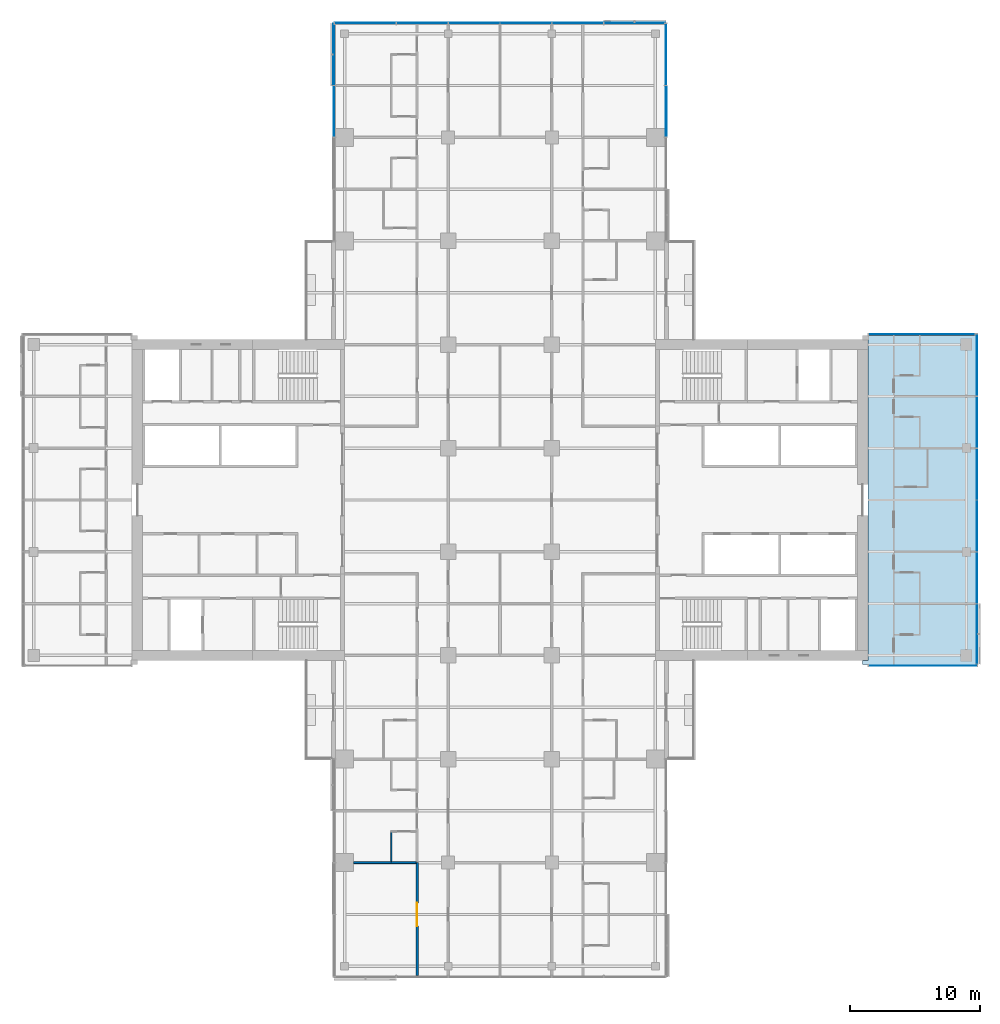
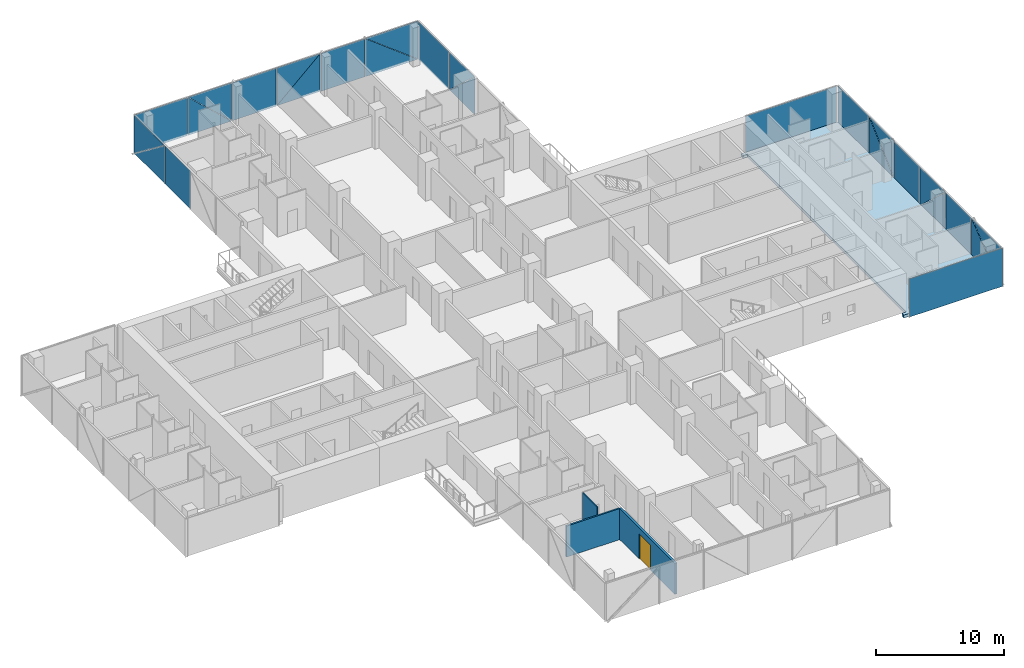
# One storey, part 14 of 27: 26 plates, 3 walls, 1 door, 1 slab, 1 opening, 6 elements without a shape of their own.
"""IFC4 building model written with IfcOpenShell, lengths in metres."""

from ifc_helpers import new_model, si_unit, direction, frame, frame_2d, origin, place, context, subcontext, project, spatial, polyline, rectangle, outline, extrude, material, layer, layer_set, type_object, element, fill, aggregate, save


model = new_model("IFC4")

# Units and contexts
model_context = context("Model", 3, precision=1e-05, world=origin(), true_north=direction((0.0, 1.0)))
body_context = subcontext(model_context, "Body", "Model", "MODEL_VIEW")
ifc_project = project(units=[si_unit("LENGTHUNIT", "METRE"), si_unit("AREAUNIT", "SQUARE_METRE"), si_unit("VOLUMEUNIT", "CUBIC_METRE"), si_unit("PLANEANGLEUNIT", "RADIAN"), si_unit("MASSUNIT", "GRAM", prefix="KILO")], contexts=[model_context])

# Site, building, storey
site_placement = place(None, origin())
site = spatial("IfcSite", under=ifc_project, at=site_placement, CompositionType="ELEMENT")
building_placement = place(site_placement, origin())
building = spatial("IfcBuilding", under=site, at=building_placement, Name="Crosswind Convention Tower", CompositionType="ELEMENT")
storey_placement = place(building_placement, frame((0.0, 0.0, 68.300048828125)))
storey = spatial("IfcBuildingStorey", under=building, at=storey_placement, Name="L11", CompositionType="ELEMENT", Elevation=68.300048828125)

# Slab
ifc_material_1 = material(Name="Concrete C40/50", Category="concrete")
ifc_layer_1 = layer(ifc_material_1, 0.280029296875)
ifc_layer_set_1 = layer_set([ifc_layer_1], Name="Concrete C40/50")
slab_type = type_object("IfcSlabType", Name="Composite floor slab 280", PredefinedType="FLOOR", material=ifc_layer_set_1)
slab_placement = place(storey_placement, frame((0.0, 0.0, -0.280029296875)))
element("IfcSlab", 1, at=slab_placement, inside=storey, type_object=slab_type, Name="Floor slab L11 part 3", PredefinedType="FLOOR", context=body_context, shape_type="SweptSolid", body=[
    extrude(outline(polyline([(153.0, 112.699951171875), (161.0, 112.699951171875), (161.699951171875, 112.699951171875), (161.699951171875, 112.0), (161.699951171875, 88.0), (161.699951171875, 87.300048828125), (161.0, 87.300048828125), (153.0, 87.300048828125), (153.0, 87.60009765625), (153.39990234375, 87.60009765625), (153.39990234375, 112.39990234375), (153.0, 112.39990234375), (153.0, 112.699951171875)])), origin(), (0.0, 0.0, 1.0), 0.280029296875),
])

# Curtain wall, plate
ifc_material_2 = material(Name="Aluminium unitised curtain wall", Category="aluminium")
curtain_wall_type_1 = type_object("IfcCurtainWallType", Name="CORE END SLOT WALL 160", PredefinedType="USERDEFINED", material=ifc_material_2)
curtain_wall_1_placement = place(storey_placement, origin())
curtain_wall_1 = element("IfcCurtainWall", 2, at=curtain_wall_1_placement, inside=storey, type_object=curtain_wall_type_1, Name="CW6 L11 E-N.1-1 slot", ObjectType="UNITISED", PredefinedType="USERDEFINED")
ifc_material_3 = material(Name="Laminated insulating glass unit", Category="glass")
ifc_layer_2 = layer(ifc_material_3, 0.02587890625)
ifc_layer_set_2 = layer_set([ifc_layer_2], Name="TRIANGULAR GLASS PANEL 26")
plate_type_1 = type_object("IfcPlateType", Name="TRIANGULAR GLASS PANEL 26", PredefinedType="CURTAIN_PANEL", material=ifc_layer_set_2)
plate_1_placement = place(storey_placement, frame((161.64990234375, 112.806640625, -0.280029296875), z_axis=(0.0, 0.999999919464, 0.00040133776), x_axis=(-1.0, 0.0, 0.0)))
plate_1 = element("IfcPlate", 3, at=plate_1_placement, type_object=plate_type_1, Name="CW6 panel 1.1", PredefinedType="CURTAIN_PANEL", context=body_context, shape_type="SweptSolid", body=[
    extrude(outline(polyline([(0.0, 0.0), (8.199951171875, 0.0), (8.199951171875, 3.6499026376985664), (0.0, 3.6499026376985664), (0.0, 0.0)])), origin(), (0.0, 0.0, -1.0), 0.02587890625),
])
aggregate(curtain_wall_1, [plate_1])

curtain_wall_2_placement = place(storey_placement, origin())
curtain_wall_2 = element("IfcCurtainWall", 4, at=curtain_wall_2_placement, inside=storey, type_object=curtain_wall_type_1, Name="CW6 L11 E-S.2-1 slot", ObjectType="UNITISED", PredefinedType="USERDEFINED")
plate_2_placement = place(storey_placement, frame((153.449951171875, 87.193359375, -0.280029296875), z_axis=(0.0, -0.999999919464, 0.00040133776), x_axis=(1.0, 0.0, 0.0)))
plate_2 = element("IfcPlate", 5, at=plate_2_placement, type_object=plate_type_1, Name="CW6 panel 1.1", PredefinedType="CURTAIN_PANEL", context=body_context, shape_type="SweptSolid", body=[
    extrude(outline(polyline([(0.0, 0.0), (8.400146484375, 0.0), (8.400146484375, 3.649902637698567), (0.0, 3.649902637698567), (0.0, 0.0)])), origin(), (0.0, 0.0, -1.0), 0.02587890625),
])
aggregate(curtain_wall_2, [plate_2])

# Curtain wall, plates
curtain_wall_type_2 = type_object("IfcCurtainWallType", Name="HOTEL UNITISED WALL 200", PredefinedType="USERDEFINED", material=ifc_material_2)
curtain_wall_3_placement = place(storey_placement, origin())
curtain_wall_3 = element("IfcCurtainWall", 6, at=curtain_wall_3_placement, inside=storey, type_object=curtain_wall_type_2, Name="CW2 L11 E-TIP 1", ObjectType="UNITISED", PredefinedType="USERDEFINED")
ifc_layer_3 = layer(ifc_material_3, 0.028076171875)
ifc_layer_set_3 = layer_set([ifc_layer_3], Name="TRIANGULAR GLASS PANEL 28")
plate_type_2 = type_object("IfcPlateType", Name="TRIANGULAR GLASS PANEL 28", PredefinedType="CURTAIN_PANEL", material=ifc_layer_set_3)
plate_3_placement = place(storey_placement, frame((161.82861328125, 91.967529296875, -0.280029296875), z_axis=(0.999999943217, 0.0, 0.00033699533), x_axis=(-0.00033699533, 0.0, 0.999999943217)))
plate_3 = element("IfcPlate", 7, at=plate_3_placement, type_object=plate_type_2, Name="CW2 panel 1.1", PredefinedType="CURTAIN_PANEL", context=body_context, shape_type="SweptSolid", body=[
    extrude(outline(polyline([(0.0, 0.0), (3.6223146588106325, 0.0), (0.0, 4.58642578125), (0.0, 0.0)])), origin(), (0.0, 0.0, -1.0), 0.028076171875),
])
plate_4_placement = place(storey_placement, frame((161.857177734375, 87.364990234375, 3.35498046875), z_axis=(0.999999918233, 0.0, 0.000404394386), x_axis=(0.000404394386, 0.0, -0.999999918233)))
plate_4 = element("IfcPlate", 8, at=plate_4_placement, type_object=plate_type_2, Name="CW2 panel 1.2", PredefinedType="CURTAIN_PANEL", context=body_context, shape_type="SweptSolid", body=[
    extrude(outline(polyline([(0.0, 0.0), (3.6223147493123067, 0.0), (0.0, 4.58642578125), (0.0, 0.0)])), origin(), (0.0, 0.0, -1.0), 0.028076171875),
])
plate_5_placement = place(storey_placement, frame((161.82861328125, 92.032470703125, -0.280029296875), z_axis=(0.999999943613, 0.0, 0.00033581837), x_axis=(0.0, 1.0, 0.0)))
plate_5 = element("IfcPlate", 9, at=plate_5_placement, type_object=plate_type_2, Name="CW2 panel 2.1", PredefinedType="CURTAIN_PANEL", context=body_context, shape_type="SweptSolid", body=[
    extrude(outline(polyline([(0.0, 0.0), (3.93505859375, 0.0), (3.93505859375, 3.635009970592273), (0.0, 3.635009970592273), (0.0, 0.0)])), origin(), (0.0, 0.0, -1.0), 0.028076171875),
])
plate_6_placement = place(storey_placement, frame((161.827392578125, 99.967529296875, 3.35498046875), z_axis=(0.999999943186, 0.0, 0.000337086208), x_axis=(0.0, -1.0, 0.0)))
plate_6 = element("IfcPlate", 10, at=plate_6_placement, type_object=plate_type_2, Name="CW2 panel 3.1", PredefinedType="CURTAIN_PANEL", context=body_context, shape_type="SweptSolid", body=[
    extrude(outline(polyline([(0.0, 0.0), (3.92041015625, 0.0), (0.0, 3.6213380963660997), (0.0, 0.0)])), origin(), (0.0, 0.0, -1.0), 0.028076171875),
])
plate_7_placement = place(storey_placement, frame((161.858642578125, 96.032470703125, -0.280029296875), z_axis=(0.999999918188, 0.0, 0.000404503439), x_axis=(0.0, 1.0, 0.0)))
plate_7 = element("IfcPlate", 11, at=plate_7_placement, type_object=plate_type_2, Name="CW2 panel 3.2", PredefinedType="CURTAIN_PANEL", context=body_context, shape_type="SweptSolid", body=[
    extrude(outline(polyline([(0.0, 0.0), (3.92041015625, 0.0), (0.0, 3.6213381868921792), (0.0, 0.0)])), origin(), (0.0, 0.0, -1.0), 0.028076171875),
])
plate_8_placement = place(storey_placement, frame((161.82861328125, 100.032470703125, -0.280029296875), z_axis=(0.999999943613, 0.0, 0.00033581837), x_axis=(0.0, 1.0, 0.0)))
plate_8 = element("IfcPlate", 12, at=plate_8_placement, type_object=plate_type_2, Name="CW2 panel 4.1", PredefinedType="CURTAIN_PANEL", context=body_context, shape_type="SweptSolid", body=[
    extrude(outline(polyline([(0.0, 0.0), (3.93505859375, 0.0), (3.93505859375, 3.635009970592273), (0.0, 3.635009970592273), (0.0, 0.0)])), origin(), (0.0, 0.0, -1.0), 0.028076171875),
])
plate_9_placement = place(storey_placement, frame((161.82861328125, 107.967529296875, -0.280029296875), z_axis=(0.999999943186, 0.0, 0.000337086208), x_axis=(-0.000337086208, 0.0, 0.999999943186)))
plate_9 = element("IfcPlate", 13, at=plate_9_placement, type_object=plate_type_2, Name="CW2 panel 5.1", PredefinedType="CURTAIN_PANEL", context=body_context, shape_type="SweptSolid", body=[
    extrude(outline(polyline([(0.0, 0.0), (3.6213380963660997, 0.0), (0.0, 3.920410156250001), (0.0, 0.0)])), origin(), (0.0, 0.0, -1.0), 0.028076171875),
])
plate_10_placement = place(storey_placement, frame((161.857177734375, 104.032470703125, 3.35498046875), z_axis=(0.999999918188, 0.0, 0.000404503439), x_axis=(0.000404503439, 0.0, -0.999999918188)))
plate_10 = element("IfcPlate", 14, at=plate_10_placement, type_object=plate_type_2, Name="CW2 panel 5.2", PredefinedType="CURTAIN_PANEL", context=body_context, shape_type="SweptSolid", body=[
    extrude(outline(polyline([(0.0, 0.0), (3.6213381868921797, 0.0), (0.0, 3.92041015625), (0.0, 0.0)])), origin(), (0.0, 0.0, -1.0), 0.028076171875),
])
plate_11_placement = place(storey_placement, frame((161.82861328125, 108.032470703125, -0.280029296875), z_axis=(0.999999943613, 0.0, 0.00033581837), x_axis=(0.0, 1.0, 0.0)))
plate_11 = element("IfcPlate", 15, at=plate_11_placement, type_object=plate_type_2, Name="CW2 panel 6.1", PredefinedType="CURTAIN_PANEL", context=body_context, shape_type="SweptSolid", body=[
    extrude(outline(polyline([(0.0, 0.0), (4.762451171875, 0.0), (4.762451171875, 3.635009970592273), (0.0, 3.635009970592273), (0.0, 0.0)])), origin(), (0.0, 0.0, -1.0), 0.028076171875),
])
aggregate(curtain_wall_3, [plate_3, plate_4, plate_5, plate_6, plate_7, plate_8, plate_9, plate_10, plate_11])

curtain_wall_4_placement = place(storey_placement, origin())
curtain_wall_4 = element("IfcCurtainWall", 16, at=curtain_wall_4_placement, inside=storey, type_object=curtain_wall_type_2, Name="CW2 L11 N-E 1", ObjectType="UNITISED", PredefinedType="USERDEFINED")
plate_12_placement = place(storey_placement, frame((137.827392578125, 131.967529296875, 3.35498046875), z_axis=(0.999999943186, 0.0, 0.000337086208), x_axis=(0.0, -1.0, 0.0)))
plate_12 = element("IfcPlate", 17, at=plate_12_placement, type_object=plate_type_2, Name="CW2 panel 3.1", PredefinedType="CURTAIN_PANEL", context=body_context, shape_type="SweptSolid", body=[
    extrude(outline(polyline([(0.0, 0.0), (3.92041015625, 0.0), (0.0, 3.6213380963660997), (0.0, 0.0)])), origin(), (0.0, 0.0, -1.0), 0.028076171875),
])
plate_13_placement = place(storey_placement, frame((137.858642578125, 128.032470703125, -0.280029296875), z_axis=(0.999999918188, 0.0, 0.000404503439), x_axis=(0.0, 1.0, 0.0)))
plate_13 = element("IfcPlate", 18, at=plate_13_placement, type_object=plate_type_2, Name="CW2 panel 3.2", PredefinedType="CURTAIN_PANEL", context=body_context, shape_type="SweptSolid", body=[
    extrude(outline(polyline([(0.0, 0.0), (3.92041015625, 0.0), (0.0, 3.6213381868921792), (0.0, 0.0)])), origin(), (0.0, 0.0, -1.0), 0.028076171875),
])
plate_14_placement = place(storey_placement, frame((137.82861328125, 132.032470703125, -0.280029296875), z_axis=(0.999999943613, 0.0, 0.00033581837), x_axis=(0.0, 1.0, 0.0)))
plate_14 = element("IfcPlate", 19, at=plate_14_placement, type_object=plate_type_2, Name="CW2 panel 4.1", PredefinedType="CURTAIN_PANEL", context=body_context, shape_type="SweptSolid", body=[
    extrude(outline(polyline([(0.0, 0.0), (4.735107421875, 0.0), (4.735107421875, 3.6350099705922725), (0.0, 3.6350099705922725), (0.0, 0.0)])), origin(), (0.0, 0.0, -1.0), 0.028076171875),
])
aggregate(curtain_wall_4, [plate_12, plate_13, plate_14])

curtain_wall_5_placement = place(storey_placement, origin())
curtain_wall_5 = element("IfcCurtainWall", 20, at=curtain_wall_5_placement, inside=storey, type_object=curtain_wall_type_2, Name="CW2 L11 N-TIP 1", ObjectType="UNITISED", PredefinedType="USERDEFINED")
plate_15_placement = place(storey_placement, frame((133.032470703125, 136.82861328125, -0.280029296875), z_axis=(0.0, 0.999999943217, 0.00033699533), x_axis=(0.0, -0.00033699533, 0.999999943217)))
plate_15 = element("IfcPlate", 21, at=plate_15_placement, type_object=plate_type_2, Name="CW2 panel 1.1", PredefinedType="CURTAIN_PANEL", context=body_context, shape_type="SweptSolid", body=[
    extrude(outline(polyline([(0.0, 0.0), (3.6223146588106325, 0.0), (0.0, 4.718505859374999), (0.0, 0.0)])), origin(), (0.0, 0.0, -1.0), 0.028076171875),
])
plate_16_placement = place(storey_placement, frame((137.767578125, 136.857177734375, 3.35498046875), z_axis=(0.0, 0.999999918233, 0.000404394386), x_axis=(0.0, 0.000404394386, -0.999999918233)))
plate_16 = element("IfcPlate", 22, at=plate_16_placement, type_object=plate_type_2, Name="CW2 panel 1.2", PredefinedType="CURTAIN_PANEL", context=body_context, shape_type="SweptSolid", body=[
    extrude(outline(polyline([(0.0, 0.0), (3.6223147493123067, 0.0), (0.0, 4.71875), (0.0, 0.0)])), origin(), (0.0, 0.0, -1.0), 0.028076171875),
])
plate_17_placement = place(storey_placement, frame((132.967529296875, 136.82861328125, -0.280029296875), z_axis=(0.0, 0.999999943613, 0.00033581837), x_axis=(-1.0, 0.0, 0.0)))
plate_17 = element("IfcPlate", 23, at=plate_17_placement, type_object=plate_type_2, Name="CW2 panel 2.1", PredefinedType="CURTAIN_PANEL", context=body_context, shape_type="SweptSolid", body=[
    extrude(outline(polyline([(0.0, 0.0), (3.93505859375, 0.0), (3.93505859375, 3.635009970592273), (0.0, 3.635009970592273), (0.0, 0.0)])), origin(), (0.0, 0.0, -1.0), 0.028076171875),
])
plate_18_placement = place(storey_placement, frame((125.032470703125, 136.827392578125, 3.35498046875), z_axis=(0.0, 0.999999943186, 0.000337086208), x_axis=(1.0, 0.0, 0.0)))
plate_18 = element("IfcPlate", 24, at=plate_18_placement, type_object=plate_type_2, Name="CW2 panel 3.1", PredefinedType="CURTAIN_PANEL", context=body_context, shape_type="SweptSolid", body=[
    extrude(outline(polyline([(0.0, 0.0), (3.92041015625, 0.0), (0.0, 3.6213380963660997), (0.0, 0.0)])), origin(), (0.0, 0.0, -1.0), 0.028076171875),
])
plate_19_placement = place(storey_placement, frame((128.967529296875, 136.858642578125, -0.280029296875), z_axis=(0.0, 0.999999918188, 0.000404503439), x_axis=(-1.0, 0.0, 0.0)))
plate_19 = element("IfcPlate", 25, at=plate_19_placement, type_object=plate_type_2, Name="CW2 panel 3.2", PredefinedType="CURTAIN_PANEL", context=body_context, shape_type="SweptSolid", body=[
    extrude(outline(polyline([(0.0, 0.0), (3.92041015625, 0.0), (0.0, 3.6213381868921792), (0.0, 0.0)])), origin(), (0.0, 0.0, -1.0), 0.028076171875),
])
plate_20_placement = place(storey_placement, frame((124.967529296875, 136.82861328125, -0.280029296875), z_axis=(0.0, 0.999999943613, 0.00033581837), x_axis=(-1.0, 0.0, 0.0)))
plate_20 = element("IfcPlate", 26, at=plate_20_placement, type_object=plate_type_2, Name="CW2 panel 4.1", PredefinedType="CURTAIN_PANEL", context=body_context, shape_type="SweptSolid", body=[
    extrude(outline(polyline([(0.0, 0.0), (3.93505859375, 0.0), (3.93505859375, 3.635009970592273), (0.0, 3.635009970592273), (0.0, 0.0)])), origin(), (0.0, 0.0, -1.0), 0.028076171875),
])
plate_21_placement = place(storey_placement, frame((117.032470703125, 136.82861328125, -0.280029296875), z_axis=(0.0, 0.999999943186, 0.000337086208), x_axis=(0.0, -0.000337086208, 0.999999943186)))
plate_21 = element("IfcPlate", 27, at=plate_21_placement, type_object=plate_type_2, Name="CW2 panel 5.1", PredefinedType="CURTAIN_PANEL", context=body_context, shape_type="SweptSolid", body=[
    extrude(outline(polyline([(0.0, 0.0), (3.6213380963660997, 0.0), (0.0, 3.920410156250001), (0.0, 0.0)])), origin(), (0.0, 0.0, -1.0), 0.028076171875),
])
plate_22_placement = place(storey_placement, frame((120.967529296875, 136.857177734375, 3.35498046875), z_axis=(0.0, 0.999999918188, 0.000404503439), x_axis=(0.0, 0.000404503439, -0.999999918188)))
plate_22 = element("IfcPlate", 28, at=plate_22_placement, type_object=plate_type_2, Name="CW2 panel 5.2", PredefinedType="CURTAIN_PANEL", context=body_context, shape_type="SweptSolid", body=[
    extrude(outline(polyline([(0.0, 0.0), (3.6213381868921797, 0.0), (0.0, 3.92041015625), (0.0, 0.0)])), origin(), (0.0, 0.0, -1.0), 0.028076171875),
])
plate_23_placement = place(storey_placement, frame((116.967529296875, 136.82861328125, -0.280029296875), z_axis=(0.0, 0.999999943613, 0.00033581837), x_axis=(-1.0, 0.0, 0.0)))
plate_23 = element("IfcPlate", 29, at=plate_23_placement, type_object=plate_type_2, Name="CW2 panel 6.1", PredefinedType="CURTAIN_PANEL", context=body_context, shape_type="SweptSolid", body=[
    extrude(outline(polyline([(0.0, 0.0), (4.735107421875, 0.0), (4.735107421875, 3.6350099705922725), (0.0, 3.6350099705922725), (0.0, 0.0)])), origin(), (0.0, 0.0, -1.0), 0.028076171875),
])
aggregate(curtain_wall_5, [plate_15, plate_16, plate_17, plate_18, plate_19, plate_20, plate_21, plate_22, plate_23])

curtain_wall_6_placement = place(storey_placement, origin())
curtain_wall_6 = element("IfcCurtainWall", 30, at=curtain_wall_6_placement, inside=storey, type_object=curtain_wall_type_2, Name="CW2 L11 N-W 1", ObjectType="UNITISED", PredefinedType="USERDEFINED")
plate_24_placement = place(storey_placement, frame((112.17138671875, 132.032470703125, -0.280029296875), z_axis=(-0.999999943217, 0.0, 0.00033699533), x_axis=(0.00033699533, 0.0, 0.999999943217)))
plate_24 = element("IfcPlate", 31, at=plate_24_placement, type_object=plate_type_2, Name="CW2 panel 1.1", PredefinedType="CURTAIN_PANEL", context=body_context, shape_type="SweptSolid", body=[
    extrude(outline(polyline([(0.0, 0.0), (3.6223146588106325, 0.0), (0.0, 4.718505859374999), (0.0, 0.0)])), origin(), (0.0, 0.0, -1.0), 0.028076171875),
])
plate_25_placement = place(storey_placement, frame((112.142822265625, 136.767578125, 3.35498046875), z_axis=(-0.999999918233, 0.0, 0.000404394386), x_axis=(-0.000404394386, 0.0, -0.999999918233)))
plate_25 = element("IfcPlate", 32, at=plate_25_placement, type_object=plate_type_2, Name="CW2 panel 1.2", PredefinedType="CURTAIN_PANEL", context=body_context, shape_type="SweptSolid", body=[
    extrude(outline(polyline([(0.0, 0.0), (3.6223147493123067, 0.0), (0.0, 4.71875), (0.0, 0.0)])), origin(), (0.0, 0.0, -1.0), 0.028076171875),
])
plate_26_placement = place(storey_placement, frame((112.17138671875, 131.967529296875, -0.280029296875), z_axis=(-0.999999943613, 0.0, 0.00033581837), x_axis=(0.0, -1.0, 0.0)))
plate_26 = element("IfcPlate", 33, at=plate_26_placement, type_object=plate_type_2, Name="CW2 panel 2.1", PredefinedType="CURTAIN_PANEL", context=body_context, shape_type="SweptSolid", body=[
    extrude(outline(polyline([(0.0, 0.0), (3.93505859375, 0.0), (3.93505859375, 3.635009970592273), (0.0, 3.635009970592273), (0.0, 0.0)])), origin(), (0.0, 0.0, -1.0), 0.028076171875),
])
aggregate(curtain_wall_6, [plate_24, plate_25, plate_26])

# Wall
ifc_material_4 = material(Name="Acoustic plasterboard partition", Category="gypsum")
ifc_layer_4 = layer(ifc_material_4, 0.14990234375)
ifc_layer_set_4 = layer_set([ifc_layer_4], Name="GUEST ROOM WALL 150")
wall_type_1 = type_object("IfcWallType", Name="GUEST ROOM WALL 150", PredefinedType="PARTITIONING", material=ifc_layer_set_4)
wall_1_placement = place(storey_placement, frame((113.699951171875, 72.0, 0.0), z_axis=(0.0, 0.0, 1.0), x_axis=(1.0, 0.0, 0.0)))
element("IfcWall", 34, at=wall_1_placement, inside=storey, type_object=wall_type_1, Name="Guest Room Wall 4", PredefinedType="PARTITIONING", context=body_context, shape_type="SweptSolid", body=[
    extrude(rectangle(XDim=4.824951171875, YDim=0.14990234375, at=frame_2d((2.41259765625, 0.0))), origin(), (0.0, 0.0, 1.0), 2.959716796875),
])

# Wall, opening, door
ifc_material_5 = material(Name="Double plasterboard partition", Category="gypsum")
ifc_layer_5 = layer(ifc_material_5, 0.199951171875)
ifc_layer_set_5 = layer_set([ifc_layer_5], Name="HALL WALL 200")
wall_type_2 = type_object("IfcWallType", Name="HALL WALL 200", PredefinedType="PARTITIONING", material=ifc_layer_set_5)
wall_2_placement = place(storey_placement, frame((118.60009765625, 63.300048828125, 0.0), z_axis=(0.0, 0.0, 1.0), x_axis=(0.0, 1.0, 0.0)))
wall_2 = element("IfcWall", 35, at=wall_2_placement, inside=storey, type_object=wall_type_2, Name="Hall Wall 82", PredefinedType="PARTITIONING", context=body_context, shape_type="SweptSolid", body=[
    extrude(rectangle(XDim=8.699951171875, YDim=0.199951171875, at=frame_2d((4.35009765625, 0.0))), origin(), (0.0, 0.0, 1.0), 2.959716796875),
])
opening_placement = place(wall_2_placement, frame((3.800048828125, 0.0, 0.0)))
opening = element("IfcOpeningElement", 36, at=opening_placement, cuts=wall_2, Name="Opening 11.034", PredefinedType="OPENING", context=body_context, shape_type="SweptSolid", body=[
    extrude(rectangle(XDim=1.800048828125, YDim=2.39990234375, at=frame_2d((0.89990234375, 1.199951171875))), frame((0.0, 0.10986328125, 0.0), z_axis=(0.0, -1.0, 0.0), x_axis=(1.0, 0.0, 0.0)), (0.0, 0.0, 1.0), 0.219970703125),
])
ifc_material_6 = material(Name="Timber fire door", Category="wood")
door_type = type_object("IfcDoorType", Name="HALL DOUBLE DOOR 1800X2400", OperationType="DOUBLE_DOOR_SINGLE_SWING", PredefinedType="DOOR", material=ifc_material_6)
door_placement = place(opening_placement, frame((1.800048828125, 0.0, 0.0), z_axis=(0.0, 0.0, 1.0), x_axis=(-1.0, 0.0, 0.0)))
door = element("IfcDoor", 37, at=door_placement, inside=storey, type_object=door_type, Name="Door 11.034", ObjectType="D5", OperationType="DOUBLE_DOOR_SINGLE_SWING", OverallHeight=2.39990234375, OverallWidth=1.800048828125, PredefinedType="DOOR", context=body_context, shape_type="SweptSolid", body=[
    extrude(rectangle(XDim=1.800048828125, YDim=2.39990234375, at=frame_2d((0.89990234375, 1.199951171875))), frame((0.0, 0.02490234375, 0.0), z_axis=(0.0, -1.0, 0.0), x_axis=(1.0, 0.0, 0.0)), (0.0, 0.0, 1.0), 0.050048828125),
])
fill(opening, door)

# Wall
ifc_material_7 = material(Name="Water-resistant plasterboard partition", Category="gypsum")
ifc_layer_6 = layer(ifc_material_7, 0.10009765625)
ifc_layer_set_6 = layer_set([ifc_layer_6], Name="WET ROOM PARTITION 100")
wall_type_3 = type_object("IfcWallType", Name="WET ROOM PARTITION 100", PredefinedType="PLUMBINGWALL", material=ifc_layer_set_6)
wall_3_placement = place(storey_placement, frame((116.60009765625, 72.074951171875, 0.0), z_axis=(0.0, 0.0, 1.0), x_axis=(0.0, 1.0, 0.0)))
element("IfcWall", 38, at=wall_3_placement, inside=storey, type_object=wall_type_3, Name="Wet Room Partition 77", PredefinedType="PLUMBINGWALL", context=body_context, shape_type="SweptSolid", body=[
    extrude(rectangle(XDim=2.275146484375, YDim=0.10009765625, at=frame_2d((1.1376953125, 0.0))), origin(), (0.0, 0.0, 1.0), 3.699951171875),
])

save(model, "model.ifc")
